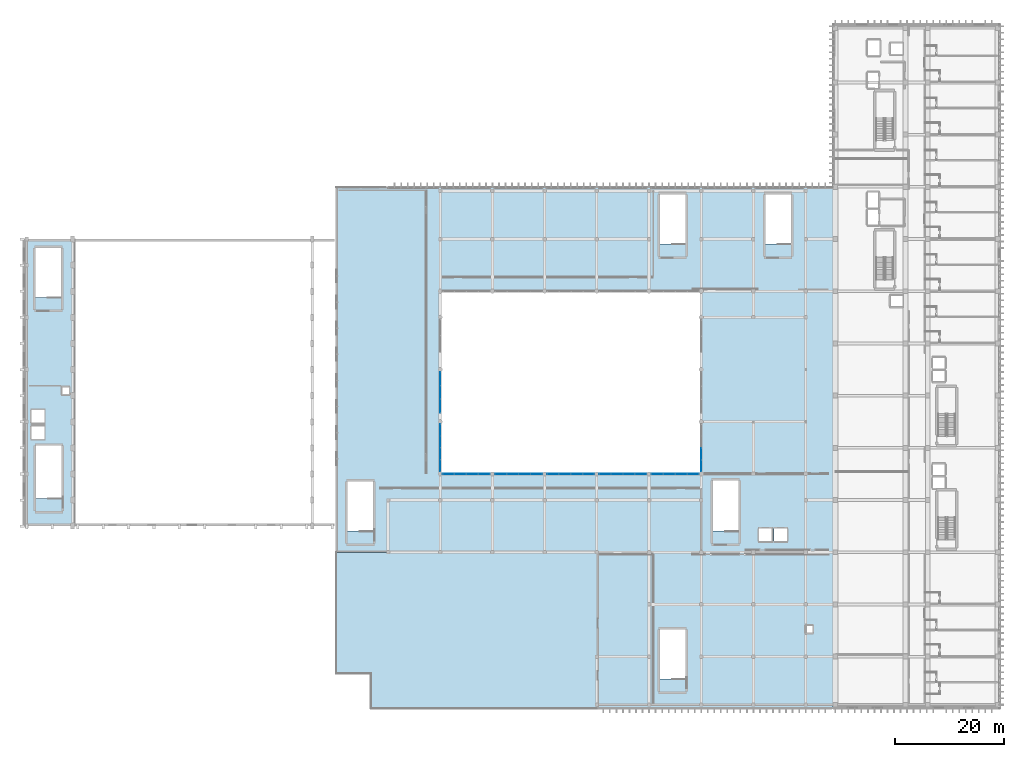
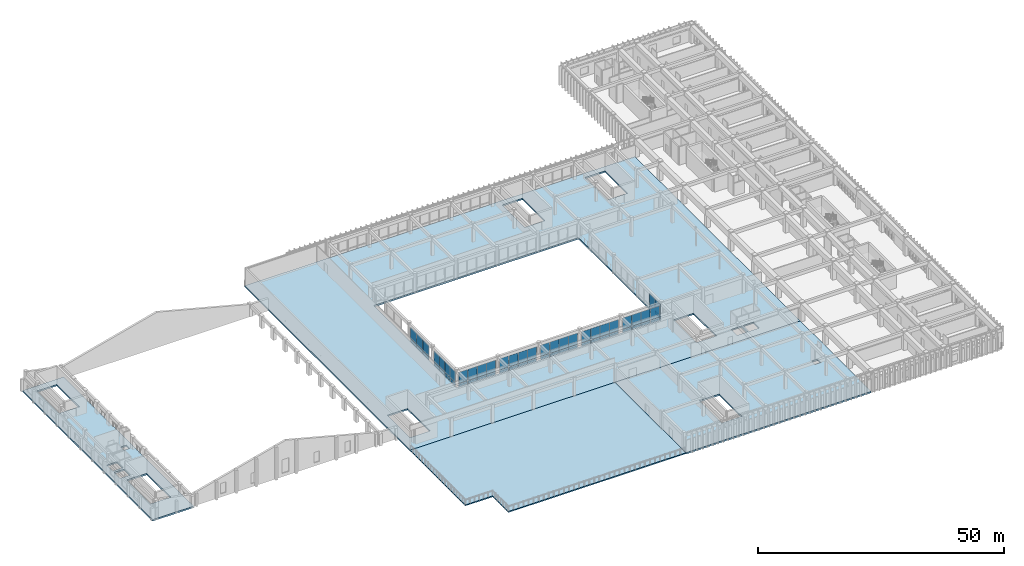
# One storey, part 64 of 101: 58 plates, 4 slabs, 8 elements without a shape of their own.
"""IFC4 building model written with IfcOpenShell, lengths in metres."""

from ifc_helpers import new_model, si_unit, direction, frame, origin, origin_2d, place, context, subcontext, project, spatial, polyline, rectangle, outline, extrude, material, layer, layer_set, type_object, element, aggregate, save


model = new_model("IFC4")

# Units and contexts
model_context = context("Model", 3, precision=1e-05, world=origin(), true_north=direction((0.0, 1.0)))
body_context = subcontext(model_context, "Body", "Model", "MODEL_VIEW")
ifc_project = project(units=[si_unit("LENGTHUNIT", "METRE"), si_unit("AREAUNIT", "SQUARE_METRE"), si_unit("VOLUMEUNIT", "CUBIC_METRE"), si_unit("PLANEANGLEUNIT", "RADIAN"), si_unit("MASSUNIT", "GRAM", prefix="KILO")], contexts=[model_context])

# Site, building, storey
site_placement = place(None, origin())
site = spatial("IfcSite", under=ifc_project, at=site_placement, CompositionType="ELEMENT")
building_placement = place(site_placement, origin())
building = spatial("IfcBuilding", under=site, at=building_placement, Name="Nakhvara Creek Congress Hotel", CompositionType="ELEMENT")
storey_placement = place(building_placement, frame((0.0, 0.0, 16.199951171875)))
storey = spatial("IfcBuildingStorey", under=building, at=storey_placement, Name="L03", CompositionType="ELEMENT", Elevation=16.199951171875)

# Curtain wall, plates
ifc_material_1 = material(Name="Bronze-anodised aluminium AW-6063-T6 and double-silver low-E glass", Category="aluminium")
ifc_layer_1 = layer(ifc_material_1, 0.199951171875)
ifc_layer_set_1 = layer_set([ifc_layer_1], Name="Bronze-anodised aluminium AW-6063-T6 and double-silver low-E glass")
curtain_wall_type = type_object("IfcCurtainWallType", Name="CW-POD-STICK", PredefinedType="NOTDEFINED", material=ifc_layer_set_1)
curtain_wall_1_placement = place(storey_placement, origin())
curtain_wall_1 = element("IfcCurtainWall", 1, at=curtain_wall_1_placement, inside=storey, type_object=curtain_wall_type, Name="Curtain Wall CW049", PredefinedType="NOTDEFINED")
ifc_material_2 = material(Name="Back-insulated bronze spandrel glass panel", Category="glass")
plate_type = type_object("IfcPlateType", Name="PNL-SPN-240X090", PredefinedType="CURTAIN_PANEL", material=ifc_material_2)
plate_1_placement = place(storey_placement, frame((78.327392578125, 43.199951171875, 0.065185546875), z_axis=(0.0, 0.0, 1.0), x_axis=(1.0, 0.0, 0.0)))
plate_1 = element("IfcPlate", 2, at=plate_1_placement, type_object=plate_type, Name="CW049 panel 1.1", PredefinedType="CURTAIN_PANEL", context=body_context, shape_type="SweptSolid", body=[
    extrude(rectangle(XDim=2.094970703125, YDim=0.044921875, at=origin_2d()), origin(), (0.0, 0.0, 1.0), 0.75244140625),
])
plate_2_placement = place(storey_placement, frame((78.327392578125, 43.199951171875, 0.8828125), z_axis=(0.0, 0.0, 1.0), x_axis=(1.0, 0.0, 0.0)))
plate_2 = element("IfcPlate", 3, at=plate_2_placement, type_object=plate_type, Name="CW049 panel 1.2", PredefinedType="CURTAIN_PANEL", context=body_context, shape_type="SweptSolid", body=[
    extrude(rectangle(XDim=2.094970703125, YDim=0.044921875, at=origin_2d()), origin(), (0.0, 0.0, 1.0), 2.784423828125),
])
plate_3_placement = place(storey_placement, frame((80.503662109375, 43.199951171875, 0.065185546875), z_axis=(0.0, 0.0, 1.0), x_axis=(1.0, 0.0, 0.0)))
plate_3 = element("IfcPlate", 4, at=plate_3_placement, type_object=plate_type, Name="CW049 panel 2.1", PredefinedType="CURTAIN_PANEL", context=body_context, shape_type="SweptSolid", body=[
    extrude(rectangle(XDim=2.12744140625, YDim=0.044921875, at=origin_2d()), origin(), (0.0, 0.0, 1.0), 0.75244140625),
])
plate_4_placement = place(storey_placement, frame((80.503662109375, 43.199951171875, 0.8828125), z_axis=(0.0, 0.0, 1.0), x_axis=(1.0, 0.0, 0.0)))
plate_4 = element("IfcPlate", 5, at=plate_4_placement, type_object=plate_type, Name="CW049 panel 2.2", PredefinedType="CURTAIN_PANEL", context=body_context, shape_type="SweptSolid", body=[
    extrude(rectangle(XDim=2.12744140625, YDim=0.044921875, at=origin_2d()), origin(), (0.0, 0.0, 1.0), 2.784423828125),
])
plate_5_placement = place(storey_placement, frame((82.6962890625, 43.199951171875, 0.065185546875), z_axis=(0.0, 0.0, 1.0), x_axis=(1.0, 0.0, 0.0)))
plate_5 = element("IfcPlate", 6, at=plate_5_placement, type_object=plate_type, Name="CW049 panel 3.1", PredefinedType="CURTAIN_PANEL", context=body_context, shape_type="SweptSolid", body=[
    extrude(rectangle(XDim=2.12744140625, YDim=0.044921875, at=origin_2d()), origin(), (0.0, 0.0, 1.0), 0.75244140625),
])
plate_6_placement = place(storey_placement, frame((82.6962890625, 43.199951171875, 0.8828125), z_axis=(0.0, 0.0, 1.0), x_axis=(1.0, 0.0, 0.0)))
plate_6 = element("IfcPlate", 7, at=plate_6_placement, type_object=plate_type, Name="CW049 panel 3.2", PredefinedType="CURTAIN_PANEL", context=body_context, shape_type="SweptSolid", body=[
    extrude(rectangle(XDim=2.12744140625, YDim=0.044921875, at=origin_2d()), origin(), (0.0, 0.0, 1.0), 2.784423828125),
])
plate_7_placement = place(storey_placement, frame((84.87255859375, 43.199951171875, 0.065185546875), z_axis=(0.0, 0.0, 1.0), x_axis=(1.0, 0.0, 0.0)))
plate_7 = element("IfcPlate", 8, at=plate_7_placement, type_object=plate_type, Name="CW049 panel 4.1", PredefinedType="CURTAIN_PANEL", context=body_context, shape_type="SweptSolid", body=[
    extrude(rectangle(XDim=2.094970703125, YDim=0.044921875, at=origin_2d()), origin(), (0.0, 0.0, 1.0), 0.75244140625),
])
plate_8_placement = place(storey_placement, frame((84.87255859375, 43.199951171875, 0.8828125), z_axis=(0.0, 0.0, 1.0), x_axis=(1.0, 0.0, 0.0)))
plate_8 = element("IfcPlate", 9, at=plate_8_placement, type_object=plate_type, Name="CW049 panel 4.2", PredefinedType="CURTAIN_PANEL", context=body_context, shape_type="SweptSolid", body=[
    extrude(rectangle(XDim=2.094970703125, YDim=0.044921875, at=origin_2d()), origin(), (0.0, 0.0, 1.0), 2.784423828125),
])
aggregate(curtain_wall_1, [plate_1, plate_2, plate_3, plate_4, plate_5, plate_6, plate_7, plate_8])

curtain_wall_2_placement = place(storey_placement, origin())
curtain_wall_2 = element("IfcCurtainWall", 10, at=curtain_wall_2_placement, inside=storey, type_object=curtain_wall_type, Name="Curtain Wall CW051", PredefinedType="NOTDEFINED")
plate_9_placement = place(storey_placement, frame((87.927490234375, 43.199951171875, 0.065185546875), z_axis=(0.0, 0.0, 1.0), x_axis=(1.0, 0.0, 0.0)))
plate_9 = element("IfcPlate", 11, at=plate_9_placement, type_object=plate_type, Name="CW051 panel 1.1", PredefinedType="CURTAIN_PANEL", context=body_context, shape_type="SweptSolid", body=[
    extrude(rectangle(XDim=2.094970703125, YDim=0.044921875, at=origin_2d()), origin(), (0.0, 0.0, 1.0), 0.75244140625),
])
plate_10_placement = place(storey_placement, frame((87.927490234375, 43.199951171875, 0.8828125), z_axis=(0.0, 0.0, 1.0), x_axis=(1.0, 0.0, 0.0)))
plate_10 = element("IfcPlate", 12, at=plate_10_placement, type_object=plate_type, Name="CW051 panel 1.2", PredefinedType="CURTAIN_PANEL", context=body_context, shape_type="SweptSolid", body=[
    extrude(rectangle(XDim=2.094970703125, YDim=0.044921875, at=origin_2d()), origin(), (0.0, 0.0, 1.0), 2.784423828125),
])
plate_11_placement = place(storey_placement, frame((90.103759765625, 43.199951171875, 0.065185546875), z_axis=(0.0, 0.0, 1.0), x_axis=(1.0, 0.0, 0.0)))
plate_11 = element("IfcPlate", 13, at=plate_11_placement, type_object=plate_type, Name="CW051 panel 2.1", PredefinedType="CURTAIN_PANEL", context=body_context, shape_type="SweptSolid", body=[
    extrude(rectangle(XDim=2.12744140625, YDim=0.044921875, at=origin_2d()), origin(), (0.0, 0.0, 1.0), 0.75244140625),
])
plate_12_placement = place(storey_placement, frame((90.103759765625, 43.199951171875, 0.8828125), z_axis=(0.0, 0.0, 1.0), x_axis=(1.0, 0.0, 0.0)))
plate_12 = element("IfcPlate", 14, at=plate_12_placement, type_object=plate_type, Name="CW051 panel 2.2", PredefinedType="CURTAIN_PANEL", context=body_context, shape_type="SweptSolid", body=[
    extrude(rectangle(XDim=2.12744140625, YDim=0.044921875, at=origin_2d()), origin(), (0.0, 0.0, 1.0), 2.784423828125),
])
plate_13_placement = place(storey_placement, frame((92.296142578125, 43.199951171875, 0.065185546875), z_axis=(0.0, 0.0, 1.0), x_axis=(1.0, 0.0, 0.0)))
plate_13 = element("IfcPlate", 15, at=plate_13_placement, type_object=plate_type, Name="CW051 panel 3.1", PredefinedType="CURTAIN_PANEL", context=body_context, shape_type="SweptSolid", body=[
    extrude(rectangle(XDim=2.12744140625, YDim=0.044921875, at=origin_2d()), origin(), (0.0, 0.0, 1.0), 0.75244140625),
])
plate_14_placement = place(storey_placement, frame((92.296142578125, 43.199951171875, 0.8828125), z_axis=(0.0, 0.0, 1.0), x_axis=(1.0, 0.0, 0.0)))
plate_14 = element("IfcPlate", 16, at=plate_14_placement, type_object=plate_type, Name="CW051 panel 3.2", PredefinedType="CURTAIN_PANEL", context=body_context, shape_type="SweptSolid", body=[
    extrude(rectangle(XDim=2.12744140625, YDim=0.044921875, at=origin_2d()), origin(), (0.0, 0.0, 1.0), 2.784423828125),
])
plate_15_placement = place(storey_placement, frame((94.472412109375, 43.199951171875, 0.065185546875), z_axis=(0.0, 0.0, 1.0), x_axis=(1.0, 0.0, 0.0)))
plate_15 = element("IfcPlate", 17, at=plate_15_placement, type_object=plate_type, Name="CW051 panel 4.1", PredefinedType="CURTAIN_PANEL", context=body_context, shape_type="SweptSolid", body=[
    extrude(rectangle(XDim=2.094970703125, YDim=0.044921875, at=origin_2d()), origin(), (0.0, 0.0, 1.0), 0.75244140625),
])
plate_16_placement = place(storey_placement, frame((94.472412109375, 43.199951171875, 0.8828125), z_axis=(0.0, 0.0, 1.0), x_axis=(1.0, 0.0, 0.0)))
plate_16 = element("IfcPlate", 18, at=plate_16_placement, type_object=plate_type, Name="CW051 panel 4.2", PredefinedType="CURTAIN_PANEL", context=body_context, shape_type="SweptSolid", body=[
    extrude(rectangle(XDim=2.094970703125, YDim=0.044921875, at=origin_2d()), origin(), (0.0, 0.0, 1.0), 2.784423828125),
])
aggregate(curtain_wall_2, [plate_9, plate_10, plate_11, plate_12, plate_13, plate_14, plate_15, plate_16])

curtain_wall_3_placement = place(storey_placement, origin())
curtain_wall_3 = element("IfcCurtainWall", 19, at=curtain_wall_3_placement, inside=storey, type_object=curtain_wall_type, Name="Curtain Wall CW053", PredefinedType="NOTDEFINED")
plate_17_placement = place(storey_placement, frame((97.527587890625, 43.199951171875, 0.065185546875), z_axis=(0.0, 0.0, 1.0), x_axis=(1.0, 0.0, 0.0)))
plate_17 = element("IfcPlate", 20, at=plate_17_placement, type_object=plate_type, Name="CW053 panel 1.1", PredefinedType="CURTAIN_PANEL", context=body_context, shape_type="SweptSolid", body=[
    extrude(rectangle(XDim=2.094970703125, YDim=0.044921875, at=origin_2d()), origin(), (0.0, 0.0, 1.0), 0.75244140625),
])
plate_18_placement = place(storey_placement, frame((97.527587890625, 43.199951171875, 0.8828125), z_axis=(0.0, 0.0, 1.0), x_axis=(1.0, 0.0, 0.0)))
plate_18 = element("IfcPlate", 21, at=plate_18_placement, type_object=plate_type, Name="CW053 panel 1.2", PredefinedType="CURTAIN_PANEL", context=body_context, shape_type="SweptSolid", body=[
    extrude(rectangle(XDim=2.094970703125, YDim=0.044921875, at=origin_2d()), origin(), (0.0, 0.0, 1.0), 2.784423828125),
])
plate_19_placement = place(storey_placement, frame((99.703857421875, 43.199951171875, 0.065185546875), z_axis=(0.0, 0.0, 1.0), x_axis=(1.0, 0.0, 0.0)))
plate_19 = element("IfcPlate", 22, at=plate_19_placement, type_object=plate_type, Name="CW053 panel 2.1", PredefinedType="CURTAIN_PANEL", context=body_context, shape_type="SweptSolid", body=[
    extrude(rectangle(XDim=2.12744140625, YDim=0.044921875, at=origin_2d()), origin(), (0.0, 0.0, 1.0), 0.75244140625),
])
plate_20_placement = place(storey_placement, frame((99.703857421875, 43.199951171875, 0.8828125), z_axis=(0.0, 0.0, 1.0), x_axis=(1.0, 0.0, 0.0)))
plate_20 = element("IfcPlate", 23, at=plate_20_placement, type_object=plate_type, Name="CW053 panel 2.2", PredefinedType="CURTAIN_PANEL", context=body_context, shape_type="SweptSolid", body=[
    extrude(rectangle(XDim=2.12744140625, YDim=0.044921875, at=origin_2d()), origin(), (0.0, 0.0, 1.0), 2.784423828125),
])
plate_21_placement = place(storey_placement, frame((101.896240234375, 43.199951171875, 0.065185546875), z_axis=(0.0, 0.0, 1.0), x_axis=(1.0, 0.0, 0.0)))
plate_21 = element("IfcPlate", 24, at=plate_21_placement, type_object=plate_type, Name="CW053 panel 3.1", PredefinedType="CURTAIN_PANEL", context=body_context, shape_type="SweptSolid", body=[
    extrude(rectangle(XDim=2.12744140625, YDim=0.044921875, at=origin_2d()), origin(), (0.0, 0.0, 1.0), 0.75244140625),
])
plate_22_placement = place(storey_placement, frame((101.896240234375, 43.199951171875, 0.8828125), z_axis=(0.0, 0.0, 1.0), x_axis=(1.0, 0.0, 0.0)))
plate_22 = element("IfcPlate", 25, at=plate_22_placement, type_object=plate_type, Name="CW053 panel 3.2", PredefinedType="CURTAIN_PANEL", context=body_context, shape_type="SweptSolid", body=[
    extrude(rectangle(XDim=2.12744140625, YDim=0.044921875, at=origin_2d()), origin(), (0.0, 0.0, 1.0), 2.784423828125),
])
plate_23_placement = place(storey_placement, frame((104.072509765625, 43.199951171875, 0.065185546875), z_axis=(0.0, 0.0, 1.0), x_axis=(1.0, 0.0, 0.0)))
plate_23 = element("IfcPlate", 26, at=plate_23_placement, type_object=plate_type, Name="CW053 panel 4.1", PredefinedType="CURTAIN_PANEL", context=body_context, shape_type="SweptSolid", body=[
    extrude(rectangle(XDim=2.094970703125, YDim=0.044921875, at=origin_2d()), origin(), (0.0, 0.0, 1.0), 0.75244140625),
])
plate_24_placement = place(storey_placement, frame((104.072509765625, 43.199951171875, 0.8828125), z_axis=(0.0, 0.0, 1.0), x_axis=(1.0, 0.0, 0.0)))
plate_24 = element("IfcPlate", 27, at=plate_24_placement, type_object=plate_type, Name="CW053 panel 4.2", PredefinedType="CURTAIN_PANEL", context=body_context, shape_type="SweptSolid", body=[
    extrude(rectangle(XDim=2.094970703125, YDim=0.044921875, at=origin_2d()), origin(), (0.0, 0.0, 1.0), 2.784423828125),
])
aggregate(curtain_wall_3, [plate_17, plate_18, plate_19, plate_20, plate_21, plate_22, plate_23, plate_24])

curtain_wall_4_placement = place(storey_placement, origin())
curtain_wall_4 = element("IfcCurtainWall", 28, at=curtain_wall_4_placement, inside=storey, type_object=curtain_wall_type, Name="Curtain Wall CW055", PredefinedType="NOTDEFINED")
plate_25_placement = place(storey_placement, frame((107.12744140625, 43.199951171875, 0.065185546875), z_axis=(0.0, 0.0, 1.0), x_axis=(1.0, 0.0, 0.0)))
plate_25 = element("IfcPlate", 29, at=plate_25_placement, type_object=plate_type, Name="CW055 panel 1.1", PredefinedType="CURTAIN_PANEL", context=body_context, shape_type="SweptSolid", body=[
    extrude(rectangle(XDim=2.094970703125, YDim=0.044921875, at=origin_2d()), origin(), (0.0, 0.0, 1.0), 0.75244140625),
])
plate_26_placement = place(storey_placement, frame((107.12744140625, 43.199951171875, 0.8828125), z_axis=(0.0, 0.0, 1.0), x_axis=(1.0, 0.0, 0.0)))
plate_26 = element("IfcPlate", 30, at=plate_26_placement, type_object=plate_type, Name="CW055 panel 1.2", PredefinedType="CURTAIN_PANEL", context=body_context, shape_type="SweptSolid", body=[
    extrude(rectangle(XDim=2.094970703125, YDim=0.044921875, at=origin_2d()), origin(), (0.0, 0.0, 1.0), 2.784423828125),
])
plate_27_placement = place(storey_placement, frame((109.3037109375, 43.199951171875, 0.065185546875), z_axis=(0.0, 0.0, 1.0), x_axis=(1.0, 0.0, 0.0)))
plate_27 = element("IfcPlate", 31, at=plate_27_placement, type_object=plate_type, Name="CW055 panel 2.1", PredefinedType="CURTAIN_PANEL", context=body_context, shape_type="SweptSolid", body=[
    extrude(rectangle(XDim=2.12744140625, YDim=0.044921875, at=origin_2d()), origin(), (0.0, 0.0, 1.0), 0.75244140625),
])
plate_28_placement = place(storey_placement, frame((109.3037109375, 43.199951171875, 0.8828125), z_axis=(0.0, 0.0, 1.0), x_axis=(1.0, 0.0, 0.0)))
plate_28 = element("IfcPlate", 32, at=plate_28_placement, type_object=plate_type, Name="CW055 panel 2.2", PredefinedType="CURTAIN_PANEL", context=body_context, shape_type="SweptSolid", body=[
    extrude(rectangle(XDim=2.12744140625, YDim=0.044921875, at=origin_2d()), origin(), (0.0, 0.0, 1.0), 2.784423828125),
])
plate_29_placement = place(storey_placement, frame((111.496337890625, 43.199951171875, 0.065185546875), z_axis=(0.0, 0.0, 1.0), x_axis=(1.0, 0.0, 0.0)))
plate_29 = element("IfcPlate", 33, at=plate_29_placement, type_object=plate_type, Name="CW055 panel 3.1", PredefinedType="CURTAIN_PANEL", context=body_context, shape_type="SweptSolid", body=[
    extrude(rectangle(XDim=2.12744140625, YDim=0.044921875, at=origin_2d()), origin(), (0.0, 0.0, 1.0), 0.75244140625),
])
plate_30_placement = place(storey_placement, frame((111.496337890625, 43.199951171875, 0.8828125), z_axis=(0.0, 0.0, 1.0), x_axis=(1.0, 0.0, 0.0)))
plate_30 = element("IfcPlate", 34, at=plate_30_placement, type_object=plate_type, Name="CW055 panel 3.2", PredefinedType="CURTAIN_PANEL", context=body_context, shape_type="SweptSolid", body=[
    extrude(rectangle(XDim=2.12744140625, YDim=0.044921875, at=origin_2d()), origin(), (0.0, 0.0, 1.0), 2.784423828125),
])
plate_31_placement = place(storey_placement, frame((113.672607421875, 43.199951171875, 0.065185546875), z_axis=(0.0, 0.0, 1.0), x_axis=(1.0, 0.0, 0.0)))
plate_31 = element("IfcPlate", 35, at=plate_31_placement, type_object=plate_type, Name="CW055 panel 4.1", PredefinedType="CURTAIN_PANEL", context=body_context, shape_type="SweptSolid", body=[
    extrude(rectangle(XDim=2.094970703125, YDim=0.044921875, at=origin_2d()), origin(), (0.0, 0.0, 1.0), 0.75244140625),
])
plate_32_placement = place(storey_placement, frame((113.672607421875, 43.199951171875, 0.8828125), z_axis=(0.0, 0.0, 1.0), x_axis=(1.0, 0.0, 0.0)))
plate_32 = element("IfcPlate", 36, at=plate_32_placement, type_object=plate_type, Name="CW055 panel 4.2", PredefinedType="CURTAIN_PANEL", context=body_context, shape_type="SweptSolid", body=[
    extrude(rectangle(XDim=2.094970703125, YDim=0.044921875, at=origin_2d()), origin(), (0.0, 0.0, 1.0), 2.784423828125),
])
aggregate(curtain_wall_4, [plate_25, plate_26, plate_27, plate_28, plate_29, plate_30, plate_31, plate_32])

curtain_wall_5_placement = place(storey_placement, origin())
curtain_wall_5 = element("IfcCurtainWall", 37, at=curtain_wall_5_placement, inside=storey, type_object=curtain_wall_type, Name="Curtain Wall CW057", PredefinedType="NOTDEFINED")
plate_33_placement = place(storey_placement, frame((116.7275390625, 43.199951171875, 0.065185546875), z_axis=(0.0, 0.0, 1.0), x_axis=(1.0, 0.0, 0.0)))
plate_33 = element("IfcPlate", 38, at=plate_33_placement, type_object=plate_type, Name="CW057 panel 1.1", PredefinedType="CURTAIN_PANEL", context=body_context, shape_type="SweptSolid", body=[
    extrude(rectangle(XDim=2.094970703125, YDim=0.044921875, at=origin_2d()), origin(), (0.0, 0.0, 1.0), 0.75244140625),
])
plate_34_placement = place(storey_placement, frame((116.7275390625, 43.199951171875, 0.8828125), z_axis=(0.0, 0.0, 1.0), x_axis=(1.0, 0.0, 0.0)))
plate_34 = element("IfcPlate", 39, at=plate_34_placement, type_object=plate_type, Name="CW057 panel 1.2", PredefinedType="CURTAIN_PANEL", context=body_context, shape_type="SweptSolid", body=[
    extrude(rectangle(XDim=2.094970703125, YDim=0.044921875, at=origin_2d()), origin(), (0.0, 0.0, 1.0), 2.784423828125),
])
plate_35_placement = place(storey_placement, frame((118.90380859375, 43.199951171875, 0.065185546875), z_axis=(0.0, 0.0, 1.0), x_axis=(1.0, 0.0, 0.0)))
plate_35 = element("IfcPlate", 40, at=plate_35_placement, type_object=plate_type, Name="CW057 panel 2.1", PredefinedType="CURTAIN_PANEL", context=body_context, shape_type="SweptSolid", body=[
    extrude(rectangle(XDim=2.12744140625, YDim=0.044921875, at=origin_2d()), origin(), (0.0, 0.0, 1.0), 0.75244140625),
])
plate_36_placement = place(storey_placement, frame((118.90380859375, 43.199951171875, 0.8828125), z_axis=(0.0, 0.0, 1.0), x_axis=(1.0, 0.0, 0.0)))
plate_36 = element("IfcPlate", 41, at=plate_36_placement, type_object=plate_type, Name="CW057 panel 2.2", PredefinedType="CURTAIN_PANEL", context=body_context, shape_type="SweptSolid", body=[
    extrude(rectangle(XDim=2.12744140625, YDim=0.044921875, at=origin_2d()), origin(), (0.0, 0.0, 1.0), 2.784423828125),
])
plate_37_placement = place(storey_placement, frame((121.09619140625, 43.199951171875, 0.065185546875), z_axis=(0.0, 0.0, 1.0), x_axis=(1.0, 0.0, 0.0)))
plate_37 = element("IfcPlate", 42, at=plate_37_placement, type_object=plate_type, Name="CW057 panel 3.1", PredefinedType="CURTAIN_PANEL", context=body_context, shape_type="SweptSolid", body=[
    extrude(rectangle(XDim=2.12744140625, YDim=0.044921875, at=origin_2d()), origin(), (0.0, 0.0, 1.0), 0.75244140625),
])
plate_38_placement = place(storey_placement, frame((121.09619140625, 43.199951171875, 0.8828125), z_axis=(0.0, 0.0, 1.0), x_axis=(1.0, 0.0, 0.0)))
plate_38 = element("IfcPlate", 43, at=plate_38_placement, type_object=plate_type, Name="CW057 panel 3.2", PredefinedType="CURTAIN_PANEL", context=body_context, shape_type="SweptSolid", body=[
    extrude(rectangle(XDim=2.12744140625, YDim=0.044921875, at=origin_2d()), origin(), (0.0, 0.0, 1.0), 2.784423828125),
])
plate_39_placement = place(storey_placement, frame((123.2724609375, 43.199951171875, 0.065185546875), z_axis=(0.0, 0.0, 1.0), x_axis=(1.0, 0.0, 0.0)))
plate_39 = element("IfcPlate", 44, at=plate_39_placement, type_object=plate_type, Name="CW057 panel 4.1", PredefinedType="CURTAIN_PANEL", context=body_context, shape_type="SweptSolid", body=[
    extrude(rectangle(XDim=2.094970703125, YDim=0.044921875, at=origin_2d()), origin(), (0.0, 0.0, 1.0), 0.75244140625),
])
plate_40_placement = place(storey_placement, frame((123.2724609375, 43.199951171875, 0.8828125), z_axis=(0.0, 0.0, 1.0), x_axis=(1.0, 0.0, 0.0)))
plate_40 = element("IfcPlate", 45, at=plate_40_placement, type_object=plate_type, Name="CW057 panel 4.2", PredefinedType="CURTAIN_PANEL", context=body_context, shape_type="SweptSolid", body=[
    extrude(rectangle(XDim=2.094970703125, YDim=0.044921875, at=origin_2d()), origin(), (0.0, 0.0, 1.0), 2.784423828125),
])
aggregate(curtain_wall_5, [plate_33, plate_34, plate_35, plate_36, plate_37, plate_38, plate_39, plate_40])

curtain_wall_6_placement = place(storey_placement, origin())
curtain_wall_6 = element("IfcCurtainWall", 46, at=curtain_wall_6_placement, inside=storey, type_object=curtain_wall_type, Name="Curtain Wall CW059", PredefinedType="NOTDEFINED")
plate_41_placement = place(storey_placement, frame((76.800048828125, 51.2724609375, 0.065185546875), z_axis=(0.0, 0.0, 1.0), x_axis=(0.0, -1.0, 0.0)))
plate_41 = element("IfcPlate", 47, at=plate_41_placement, type_object=plate_type, Name="CW059 panel 1.1", PredefinedType="CURTAIN_PANEL", context=body_context, shape_type="SweptSolid", body=[
    extrude(rectangle(XDim=2.094970703125, YDim=0.044921875, at=origin_2d()), origin(), (0.0, 0.0, 1.0), 0.75244140625),
])
plate_42_placement = place(storey_placement, frame((76.800048828125, 51.2724609375, 0.8828125), z_axis=(0.0, 0.0, 1.0), x_axis=(0.0, -1.0, 0.0)))
plate_42 = element("IfcPlate", 48, at=plate_42_placement, type_object=plate_type, Name="CW059 panel 1.2", PredefinedType="CURTAIN_PANEL", context=body_context, shape_type="SweptSolid", body=[
    extrude(rectangle(XDim=2.094970703125, YDim=0.044921875, at=origin_2d()), origin(), (0.0, 0.0, 1.0), 2.784423828125),
])
plate_43_placement = place(storey_placement, frame((76.800048828125, 49.09619140625, 0.065185546875), z_axis=(0.0, 0.0, 1.0), x_axis=(0.0, -1.0, 0.0)))
plate_43 = element("IfcPlate", 49, at=plate_43_placement, type_object=plate_type, Name="CW059 panel 2.1", PredefinedType="CURTAIN_PANEL", context=body_context, shape_type="SweptSolid", body=[
    extrude(rectangle(XDim=2.12744140625, YDim=0.044921875, at=origin_2d()), origin(), (0.0, 0.0, 1.0), 0.75244140625),
])
plate_44_placement = place(storey_placement, frame((76.800048828125, 49.09619140625, 0.8828125), z_axis=(0.0, 0.0, 1.0), x_axis=(0.0, -1.0, 0.0)))
plate_44 = element("IfcPlate", 50, at=plate_44_placement, type_object=plate_type, Name="CW059 panel 2.2", PredefinedType="CURTAIN_PANEL", context=body_context, shape_type="SweptSolid", body=[
    extrude(rectangle(XDim=2.12744140625, YDim=0.044921875, at=origin_2d()), origin(), (0.0, 0.0, 1.0), 2.784423828125),
])
plate_45_placement = place(storey_placement, frame((76.800048828125, 46.90380859375, 0.065185546875), z_axis=(0.0, 0.0, 1.0), x_axis=(0.0, -1.0, 0.0)))
plate_45 = element("IfcPlate", 51, at=plate_45_placement, type_object=plate_type, Name="CW059 panel 3.1", PredefinedType="CURTAIN_PANEL", context=body_context, shape_type="SweptSolid", body=[
    extrude(rectangle(XDim=2.12744140625, YDim=0.044921875, at=origin_2d()), origin(), (0.0, 0.0, 1.0), 0.75244140625),
])
plate_46_placement = place(storey_placement, frame((76.800048828125, 46.90380859375, 0.8828125), z_axis=(0.0, 0.0, 1.0), x_axis=(0.0, -1.0, 0.0)))
plate_46 = element("IfcPlate", 52, at=plate_46_placement, type_object=plate_type, Name="CW059 panel 3.2", PredefinedType="CURTAIN_PANEL", context=body_context, shape_type="SweptSolid", body=[
    extrude(rectangle(XDim=2.12744140625, YDim=0.044921875, at=origin_2d()), origin(), (0.0, 0.0, 1.0), 2.784423828125),
])
plate_47_placement = place(storey_placement, frame((76.800048828125, 44.7275390625, 0.065185546875), z_axis=(0.0, 0.0, 1.0), x_axis=(0.0, -1.0, 0.0)))
plate_47 = element("IfcPlate", 53, at=plate_47_placement, type_object=plate_type, Name="CW059 panel 4.1", PredefinedType="CURTAIN_PANEL", context=body_context, shape_type="SweptSolid", body=[
    extrude(rectangle(XDim=2.094970703125, YDim=0.044921875, at=origin_2d()), origin(), (0.0, 0.0, 1.0), 0.75244140625),
])
plate_48_placement = place(storey_placement, frame((76.800048828125, 44.7275390625, 0.8828125), z_axis=(0.0, 0.0, 1.0), x_axis=(0.0, -1.0, 0.0)))
plate_48 = element("IfcPlate", 54, at=plate_48_placement, type_object=plate_type, Name="CW059 panel 4.2", PredefinedType="CURTAIN_PANEL", context=body_context, shape_type="SweptSolid", body=[
    extrude(rectangle(XDim=2.094970703125, YDim=0.044921875, at=origin_2d()), origin(), (0.0, 0.0, 1.0), 2.784423828125),
])
aggregate(curtain_wall_6, [plate_41, plate_42, plate_43, plate_44, plate_45, plate_46, plate_47, plate_48])

curtain_wall_7_placement = place(storey_placement, origin())
curtain_wall_7 = element("IfcCurtainWall", 55, at=curtain_wall_7_placement, inside=storey, type_object=curtain_wall_type, Name="Curtain Wall CW060", PredefinedType="NOTDEFINED")
plate_49_placement = place(storey_placement, frame((124.800048828125, 44.7275390625, 0.065185546875), z_axis=(0.0, 0.0, 1.0), x_axis=(0.0, 1.0, 0.0)))
plate_49 = element("IfcPlate", 56, at=plate_49_placement, type_object=plate_type, Name="CW060 panel 1.1", PredefinedType="CURTAIN_PANEL", context=body_context, shape_type="SweptSolid", body=[
    extrude(rectangle(XDim=2.094970703125, YDim=0.044921875, at=origin_2d()), origin(), (0.0, 0.0, 1.0), 0.75244140625),
])
plate_50_placement = place(storey_placement, frame((124.800048828125, 44.7275390625, 0.8828125), z_axis=(0.0, 0.0, 1.0), x_axis=(0.0, 1.0, 0.0)))
plate_50 = element("IfcPlate", 57, at=plate_50_placement, type_object=plate_type, Name="CW060 panel 1.2", PredefinedType="CURTAIN_PANEL", context=body_context, shape_type="SweptSolid", body=[
    extrude(rectangle(XDim=2.094970703125, YDim=0.044921875, at=origin_2d()), origin(), (0.0, 0.0, 1.0), 2.784423828125),
])
plate_51_placement = place(storey_placement, frame((124.800048828125, 46.90380859375, 0.065185546875), z_axis=(0.0, 0.0, 1.0), x_axis=(0.0, 1.0, 0.0)))
plate_51 = element("IfcPlate", 58, at=plate_51_placement, type_object=plate_type, Name="CW060 panel 2.1", PredefinedType="CURTAIN_PANEL", context=body_context, shape_type="SweptSolid", body=[
    extrude(rectangle(XDim=2.12744140625, YDim=0.044921875, at=origin_2d()), origin(), (0.0, 0.0, 1.0), 0.75244140625),
])
plate_52_placement = place(storey_placement, frame((124.800048828125, 46.90380859375, 0.8828125), z_axis=(0.0, 0.0, 1.0), x_axis=(0.0, 1.0, 0.0)))
plate_52 = element("IfcPlate", 59, at=plate_52_placement, type_object=plate_type, Name="CW060 panel 2.2", PredefinedType="CURTAIN_PANEL", context=body_context, shape_type="SweptSolid", body=[
    extrude(rectangle(XDim=2.12744140625, YDim=0.044921875, at=origin_2d()), origin(), (0.0, 0.0, 1.0), 2.784423828125),
])
aggregate(curtain_wall_7, [plate_49, plate_50, plate_51, plate_52])

curtain_wall_8_placement = place(storey_placement, origin())
curtain_wall_8 = element("IfcCurtainWall", 60, at=curtain_wall_8_placement, inside=storey, type_object=curtain_wall_type, Name="Curtain Wall CW061", PredefinedType="NOTDEFINED")
plate_53_placement = place(storey_placement, frame((76.800048828125, 60.70458984375, 0.065185546875), z_axis=(0.0, 0.0, 1.0), x_axis=(0.0, -1.0, 0.0)))
plate_53 = element("IfcPlate", 61, at=plate_53_placement, type_object=plate_type, Name="CW061 panel 1.1", PredefinedType="CURTAIN_PANEL", context=body_context, shape_type="SweptSolid", body=[
    extrude(rectangle(XDim=2.430908203125, YDim=0.044921875, at=origin_2d()), origin(), (0.0, 0.0, 1.0), 0.75244140625),
])
plate_54_placement = place(storey_placement, frame((76.800048828125, 60.70458984375, 0.8828125), z_axis=(0.0, 0.0, 1.0), x_axis=(0.0, -1.0, 0.0)))
plate_54 = element("IfcPlate", 62, at=plate_54_placement, type_object=plate_type, Name="CW061 panel 1.2", PredefinedType="CURTAIN_PANEL", context=body_context, shape_type="SweptSolid", body=[
    extrude(rectangle(XDim=2.430908203125, YDim=0.044921875, at=origin_2d()), origin(), (0.0, 0.0, 1.0), 2.784423828125),
])
plate_55_placement = place(storey_placement, frame((76.800048828125, 58.1923828125, 0.065185546875), z_axis=(0.0, 0.0, 1.0), x_axis=(0.0, -1.0, 0.0)))
plate_55 = element("IfcPlate", 63, at=plate_55_placement, type_object=plate_type, Name="CW061 panel 2.1", PredefinedType="CURTAIN_PANEL", context=body_context, shape_type="SweptSolid", body=[
    extrude(rectangle(XDim=2.46337890625, YDim=0.044921875, at=origin_2d()), origin(), (0.0, 0.0, 1.0), 0.75244140625),
])
plate_56_placement = place(storey_placement, frame((76.800048828125, 58.1923828125, 0.8828125), z_axis=(0.0, 0.0, 1.0), x_axis=(0.0, -1.0, 0.0)))
plate_56 = element("IfcPlate", 64, at=plate_56_placement, type_object=plate_type, Name="CW061 panel 2.2", PredefinedType="CURTAIN_PANEL", context=body_context, shape_type="SweptSolid", body=[
    extrude(rectangle(XDim=2.46337890625, YDim=0.044921875, at=origin_2d()), origin(), (0.0, 0.0, 1.0), 2.784423828125),
])
plate_57_placement = place(storey_placement, frame((76.800048828125, 55.680419921875, 0.065185546875), z_axis=(0.0, 0.0, 1.0), x_axis=(0.0, -1.0, 0.0)))
plate_57 = element("IfcPlate", 65, at=plate_57_placement, type_object=plate_type, Name="CW061 panel 3.1", PredefinedType="CURTAIN_PANEL", context=body_context, shape_type="SweptSolid", body=[
    extrude(rectangle(XDim=2.430908203125, YDim=0.044921875, at=origin_2d()), origin(), (0.0, 0.0, 1.0), 0.75244140625),
])
plate_58_placement = place(storey_placement, frame((76.800048828125, 55.680419921875, 0.8828125), z_axis=(0.0, 0.0, 1.0), x_axis=(0.0, -1.0, 0.0)))
plate_58 = element("IfcPlate", 66, at=plate_58_placement, type_object=plate_type, Name="CW061 panel 3.2", PredefinedType="CURTAIN_PANEL", context=body_context, shape_type="SweptSolid", body=[
    extrude(rectangle(XDim=2.430908203125, YDim=0.044921875, at=origin_2d()), origin(), (0.0, 0.0, 1.0), 2.784423828125),
])
aggregate(curtain_wall_8, [plate_53, plate_54, plate_55, plate_56, plate_57, plate_58])

# Slabs
ifc_material_3 = material(Name="Concrete C40/50", Category="concrete")
ifc_layer_2 = layer(ifc_material_3, 0.280029296875)
ifc_layer_set_2 = layer_set([ifc_layer_2], Name="Concrete C40/50")
slab_type_1 = type_object("IfcSlabType", Name="SL-EXT-280", PredefinedType="FLOOR", material=ifc_layer_set_2)
slab_1_placement = place(storey_placement, frame((0.0, 0.0, -0.280029296875)))
element("IfcSlab", 67, at=slab_1_placement, inside=storey, type_object=slab_type_1, Name="Outdoor Terrace Slab SLB-L03-SPA-TERRACE", PredefinedType="FLOOR", context=body_context, shape_type="SweptSolid", body=[
    extrude(outline(polyline([(64.0, 0.0), (105.60009765625, 0.0), (105.60009765625, 28.800048828125), (57.60009765625, 28.800048828125), (57.60009765625, 6.39990234375), (64.0, 6.39990234375), (64.0, 0.0)])), origin(), (0.0, 0.0, 1.0), 0.280029296875),
])
ifc_layer_3 = layer(ifc_material_3, 0.3798828125)
ifc_layer_set_3 = layer_set([ifc_layer_3], Name="Concrete C40/50")
slab_type_2 = type_object("IfcSlabType", Name="SL-FLR-380", PredefinedType="FLOOR", material=ifc_layer_set_3)
slab_2_placement = place(storey_placement, frame((0.0, 0.0, -0.3798828125)))
element("IfcSlab", 68, at=slab_2_placement, inside=storey, type_object=slab_type_2, Name="Structural Slab SLB-L03-V1W", PredefinedType="FLOOR", context=body_context, shape_type="SweptSolid", body=[
    extrude(outline(polyline([(0.0, 86.39990234375), (9.60009765625, 86.39990234375), (9.60009765625, 33.60009765625), (0.0, 33.60009765625), (0.0, 86.39990234375)]), holes=[polyline([(2.449951171875, 48.39990234375), (2.449951171875, 38.679931640625), (7.159912109375, 38.679931640625), (7.159912109375, 48.39990234375), (2.449951171875, 48.39990234375)]), polyline([(4.0, 52.0), (1.60009765625, 52.0), (1.60009765625, 49.60009765625), (4.0, 49.60009765625), (4.0, 52.0)]), polyline([(4.0, 55.0), (1.60009765625, 55.0), (1.60009765625, 52.60009765625), (4.0, 52.60009765625), (4.0, 55.0)]), polyline([(8.550048828125, 57.85009765625), (8.550048828125, 59.14990234375), (7.25, 59.14990234375), (7.25, 57.85009765625), (8.550048828125, 57.85009765625)]), polyline([(7.080078125, 84.800048828125), (2.3701171875, 84.800048828125), (2.3701171875, 75.679931640625), (7.080078125, 75.679931640625), (7.080078125, 84.800048828125)])]), origin(), (0.0, 0.0, 1.0), 0.3798828125),
])
slab_3_placement = place(storey_placement, frame((0.0, 0.0, -0.3798828125)))
element("IfcSlab", 69, at=slab_3_placement, inside=storey, type_object=slab_type_2, Name="Structural Slab SLB-L03-V3", PredefinedType="FLOOR", context=body_context, shape_type="SweptSolid", body=[
    extrude(outline(polyline([(57.60009765625, 96.0), (149.050048828125, 96.0), (149.050048828125, 28.800048828125), (57.60009765625, 28.800048828125), (57.60009765625, 96.0)]), holes=[polyline([(137.800048828125, 33.199951171875), (135.39990234375, 33.199951171875), (135.39990234375, 30.800048828125), (137.800048828125, 30.800048828125), (137.800048828125, 33.199951171875)]), polyline([(140.60009765625, 30.800048828125), (140.60009765625, 33.199951171875), (138.199951171875, 33.199951171875), (138.199951171875, 30.800048828125), (140.60009765625, 30.800048828125)]), polyline([(64.47998046875, 41.800048828125), (59.77001953125, 41.800048828125), (59.77001953125, 32.679931640625), (64.47998046875, 32.679931640625), (64.47998046875, 41.800048828125)]), polyline([(131.659912109375, 42.0), (126.949951171875, 42.0), (126.949951171875, 32.679931640625), (131.659912109375, 32.679931640625), (131.659912109375, 42.0)]), polyline([(124.800048828125, 43.199951171875), (124.800048828125, 76.800048828125), (76.800048828125, 76.800048828125), (76.800048828125, 43.199951171875), (124.800048828125, 43.199951171875)]), polyline([(121.8798828125, 94.60009765625), (117.169921875, 94.60009765625), (117.169921875, 85.47998046875), (121.8798828125, 85.47998046875), (121.8798828125, 94.60009765625)]), polyline([(141.280029296875, 94.60009765625), (136.570068359375, 94.60009765625), (136.570068359375, 85.47998046875), (141.280029296875, 85.47998046875), (141.280029296875, 94.60009765625)])]), origin(), (0.0, 0.0, 1.0), 0.3798828125),
])
slab_4_placement = place(storey_placement, frame((0.0, 0.0, -0.3798828125)))
element("IfcSlab", 70, at=slab_4_placement, inside=storey, type_object=slab_type_2, Name="Structural Slab SLB-L03-V4E", PredefinedType="FLOOR", context=body_context, shape_type="SweptSolid", body=[
    extrude(outline(polyline([(105.60009765625, 28.800048828125), (149.050048828125, 28.800048828125), (149.050048828125, 0.0), (105.60009765625, 0.0), (105.60009765625, 28.800048828125)]), holes=[polyline([(117.169921875, 5.47998046875), (121.8798828125, 5.47998046875), (121.8798828125, 14.60009765625), (117.169921875, 14.60009765625), (117.169921875, 5.47998046875)]), polyline([(144.0, 15.300048828125), (144.0, 14.0), (145.300048828125, 14.0), (145.300048828125, 15.300048828125), (144.0, 15.300048828125)])]), origin(), (0.0, 0.0, 1.0), 0.3798828125),
])

save(model, "model.ifc")
